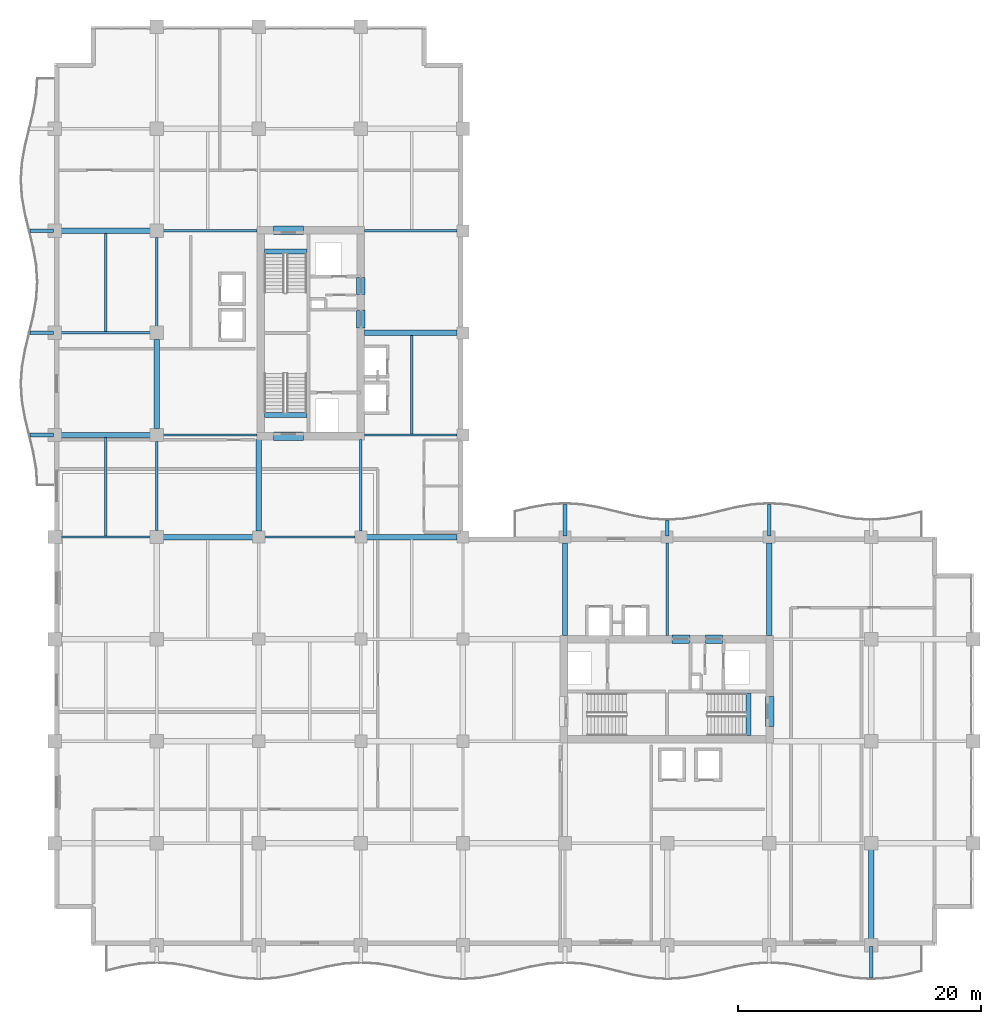
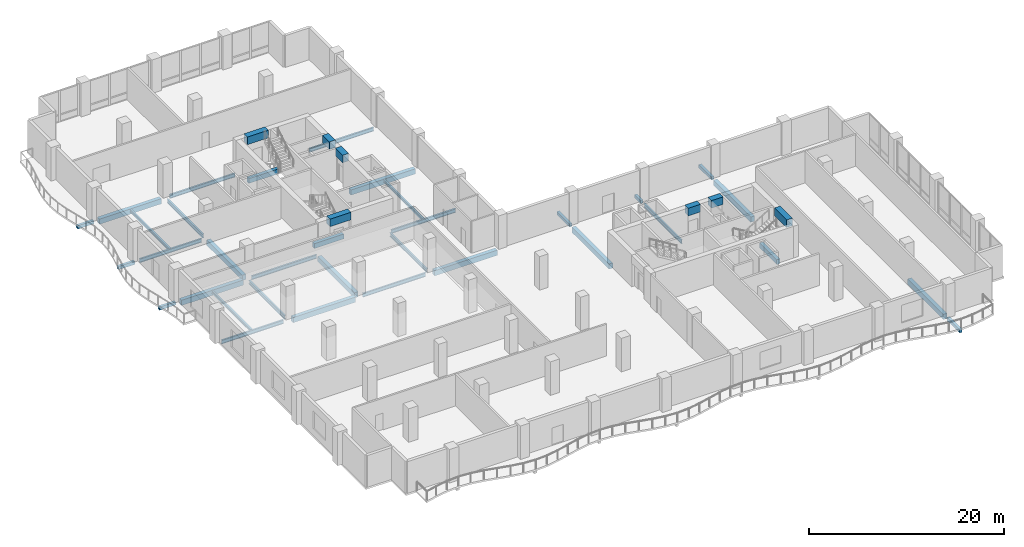
# One storey, part 2 of 22: 41 beams.
"""IFC4 building model written with IfcOpenShell, lengths in metres."""

from ifc_helpers import new_model, si_unit, direction, frame, origin, origin_2d, place, context, subcontext, project, spatial, rectangle, i_section, extrude, material, material_profile, profile_set, type_object, element, save


model = new_model("IFC4")

# Units and contexts
model_context = context("Model", 3, precision=1e-05, world=origin(), true_north=direction((0.0, 1.0)))
body_context = subcontext(model_context, "Body", "Model", "MODEL_VIEW")
ifc_project = project(units=[si_unit("LENGTHUNIT", "METRE"), si_unit("AREAUNIT", "SQUARE_METRE"), si_unit("VOLUMEUNIT", "CUBIC_METRE"), si_unit("PLANEANGLEUNIT", "RADIAN"), si_unit("MASSUNIT", "GRAM", prefix="KILO")], contexts=[model_context])

# Site, building, storey
site_placement = place(None, origin())
site = spatial("IfcSite", under=ifc_project, at=site_placement, CompositionType="ELEMENT")
building_placement = place(site_placement, origin())
building = spatial("IfcBuilding", under=site, at=building_placement, Name="Koriwani Terraces Tower", CompositionType="ELEMENT")
storey_placement = place(building_placement, frame((0.0, 0.0, 219.800048828125)))
storey = spatial("IfcBuildingStorey", under=building, at=storey_placement, Name="L54", CompositionType="ELEMENT", Elevation=219.800048828125)

# Beams
ifc_material_1 = material(Name="Concrete C40/50", Category="concrete")
ifc_material_profile_1 = material_profile(ifc_material_1, rectangle(XDim=0.300048828125, YDim=0.39990234375, at=origin_2d()), Name="Concrete C40/50", Category="LoadBearing")
ifc_profile_set_1 = profile_set([ifc_material_profile_1], Name="Concrete C40/50")
beam_type_1 = type_object("IfcBeamType", Name="BEAM_RC_BALCONY_RIB_300X400", PredefinedType="JOIST", material=ifc_profile_set_1)
beam_1_placement = place(storey_placement, frame((67.199951171875, -2.699951171875, -0.429931640625), z_axis=(0.0, 1.0, 0.0), x_axis=(-1.0, 0.0, 0.0)))
element("IfcBeam", 1, at=beam_1_placement, inside=storey, type_object=beam_type_1, Name="L54 Balcony Bracket Rib S-8", PredefinedType="JOIST", context=body_context, shape_type="SweptSolid", body=[
    extrude(rectangle(XDim=0.300048828125, YDim=0.39990234375, at=origin_2d()), origin(), (0.0, 0.0, 1.0), 2.599853515625),
])
for number, where, z_axis, x_axis, name in (
    (2, (-2.02490234375, 42.0, -0.429931640625), (1.0, 0.0, 0.0), (0.0, 1.0, 0.0), "L54 Balcony Bracket Rib W-1"),
    (3, (-2.02490234375, 50.39990234375, -0.429931640625), (1.0, 0.0, 0.0), (0.0, 1.0, 0.0), "L54 Balcony Bracket Rib W-2"),
    (4, (-2.02490234375, 58.800048828125, -0.429931640625), (1.0, 0.0, 0.0), (0.0, 1.0, 0.0), "L54 Balcony Bracket Rib W-3"),
):
    element("IfcBeam", number, at=place(storey_placement, frame(where, z_axis=z_axis, x_axis=x_axis)), inside=storey, type_object=beam_type_1, Name=name, PredefinedType="JOIST", context=body_context, shape_type="SweptSolid", body=[
        extrude(rectangle(XDim=0.300048828125, YDim=0.39990234375, at=origin_2d()), origin(), (0.0, 0.0, 1.0), 1.9248046875),
    ])
beam_2_placement = place(storey_placement, frame((42.0, 33.699951171875, -0.429931640625), z_axis=(0.0, 1.0, 0.0), x_axis=(-1.0, 0.0, 0.0)))
element("IfcBeam", 5, at=beam_2_placement, inside=storey, type_object=beam_type_1, Name="L54 Balcony Bracket Rib NE-1", PredefinedType="JOIST", context=body_context, shape_type="SweptSolid", body=[
    extrude(rectangle(XDim=0.300048828125, YDim=0.39990234375, at=origin_2d()), origin(), (0.0, 0.0, 1.0), 2.60009765625),
])
beam_3_placement = place(storey_placement, frame((50.39990234375, 33.699951171875, -0.429931640625), z_axis=(0.0, 1.0, 0.0), x_axis=(-1.0, 0.0, 0.0)))
element("IfcBeam", 6, at=beam_3_placement, inside=storey, type_object=beam_type_1, Name="L54 Balcony Bracket Rib NE-2", PredefinedType="JOIST", context=body_context, shape_type="SweptSolid", body=[
    extrude(rectangle(XDim=0.300048828125, YDim=0.39990234375, at=origin_2d()), origin(), (0.0, 0.0, 1.0), 1.25),
])
beam_4_placement = place(storey_placement, frame((58.800048828125, 33.699951171875, -0.429931640625), z_axis=(0.0, 1.0, 0.0), x_axis=(-1.0, 0.0, 0.0)))
element("IfcBeam", 7, at=beam_4_placement, inside=storey, type_object=beam_type_1, Name="L54 Balcony Bracket Rib NE-3", PredefinedType="JOIST", context=body_context, shape_type="SweptSolid", body=[
    extrude(rectangle(XDim=0.300048828125, YDim=0.39990234375, at=origin_2d()), origin(), (0.0, 0.0, 1.0), 2.60009765625),
])
ifc_material_2 = material(Name="Concrete C60/75", Category="concrete")
ifc_material_profile_2 = material_profile(ifc_material_2, rectangle(XDim=0.699951171875, YDim=0.949951171875, at=origin_2d()), Name="Concrete C60/75", Category="LoadBearing")
ifc_profile_set_2 = profile_set([ifc_material_profile_2], Name="Concrete C60/75")
beam_type_2 = type_object("IfcBeamType", Name="BEAM_RC_COUPLING_700X950", PredefinedType="LINTEL", material=ifc_profile_set_2)
beam_5_placement = place(storey_placement, frame((25.199951171875, 50.800048828125, 3.494873046875), z_axis=(0.0, 1.0, 0.0), x_axis=(-1.0, 0.0, 0.0)))
element("IfcBeam", 8, at=beam_5_placement, inside=storey, type_object=beam_type_2, Name="L54 Core Coupling Lintel Beam WE1", PredefinedType="LINTEL", context=body_context, shape_type="SweptSolid", body=[
    extrude(rectangle(XDim=0.699951171875, YDim=0.949951171875, at=origin_2d()), origin(), (0.0, 0.0, 1.0), 1.47998046875),
])
beam_6_placement = place(storey_placement, frame((25.199951171875, 53.550048828125, 3.494873046875), z_axis=(0.0, 1.0, 0.0), x_axis=(-1.0, 0.0, 0.0)))
element("IfcBeam", 9, at=beam_6_placement, inside=storey, type_object=beam_type_2, Name="L54 Core Coupling Lintel Beam WE2", PredefinedType="LINTEL", context=body_context, shape_type="SweptSolid", body=[
    extrude(rectangle(XDim=0.699951171875, YDim=0.949951171875, at=origin_2d()), origin(), (0.0, 0.0, 1.0), 1.39990234375),
])
for number, where, z_axis, x_axis, name in (
    (10, (18.0, 41.89990234375, 3.494873046875), (1.0, 0.0, 0.0), (0.0, 1.0, 0.0), "L54 Core Coupling Lintel Beam WS"),
    (11, (18.0, 58.85009765625, 3.494873046875), (1.0, 0.0, 0.0), (0.0, 1.0, 0.0), "L54 Core Coupling Lintel Beam WN"),
):
    element("IfcBeam", number, at=place(storey_placement, frame(where, z_axis=z_axis, x_axis=x_axis)), inside=storey, type_object=beam_type_2, Name=name, PredefinedType="LINTEL", context=body_context, shape_type="SweptSolid", body=[
        extrude(rectangle(XDim=0.699951171875, YDim=0.949951171875, at=origin_2d()), origin(), (0.0, 0.0, 1.0), 2.5),
    ])
beam_7_placement = place(storey_placement, frame((50.800048828125, 25.199951171875, 3.494873046875), z_axis=(1.0, 0.0, 0.0), x_axis=(0.0, 1.0, 0.0)))
element("IfcBeam", 12, at=beam_7_placement, inside=storey, type_object=beam_type_2, Name="L54 Core Coupling Lintel Beam EN1", PredefinedType="LINTEL", context=body_context, shape_type="SweptSolid", body=[
    extrude(rectangle(XDim=0.699951171875, YDim=0.949951171875, at=origin_2d()), origin(), (0.0, 0.0, 1.0), 1.47998046875),
])
beam_8_placement = place(storey_placement, frame((53.550048828125, 25.199951171875, 3.494873046875), z_axis=(1.0, 0.0, 0.0), x_axis=(0.0, 1.0, 0.0)))
element("IfcBeam", 13, at=beam_8_placement, inside=storey, type_object=beam_type_2, Name="L54 Core Coupling Lintel Beam EN2", PredefinedType="LINTEL", context=body_context, shape_type="SweptSolid", body=[
    extrude(rectangle(XDim=0.699951171875, YDim=0.949951171875, at=origin_2d()), origin(), (0.0, 0.0, 1.0), 1.39990234375),
])
beam_9_placement = place(storey_placement, frame((58.85009765625, 18.0, 3.494873046875), z_axis=(0.0, 1.0, 0.0), x_axis=(-1.0, 0.0, 0.0)))
element("IfcBeam", 14, at=beam_9_placement, inside=storey, type_object=beam_type_2, Name="L54 Core Coupling Lintel Beam EE", PredefinedType="LINTEL", context=body_context, shape_type="SweptSolid", body=[
    extrude(rectangle(XDim=0.699951171875, YDim=0.949951171875, at=origin_2d()), origin(), (0.0, 0.0, 1.0), 2.5),
])
ifc_material_profile_3 = material_profile(ifc_material_1, rectangle(XDim=0.39990234375, YDim=0.60009765625, at=origin_2d()), Name="Concrete C40/50", Category="LoadBearing")
ifc_profile_set_3 = profile_set([ifc_material_profile_3], Name="Concrete C40/50")
beam_type_3 = type_object("IfcBeamType", Name="BEAM_RC_GRID_400X600", PredefinedType="BEAM", material=ifc_profile_set_3)
for number, where, z_axis, x_axis, name in (
    (15, (17.25, 43.655029296875, -0.300048828125), (1.0, 0.0, 0.0), (0.0, 1.0, 0.0), "L54 Stairwell Header Trimmer Beam ST-W1"),
    (16, (17.25, 57.094970703125, -0.300048828125), (1.0, 0.0, 0.0), (0.0, 1.0, 0.0), "L54 Stairwell Header Trimmer Beam ST-W2"),
    (17, (57.094970703125, 17.25, -0.300048828125), (0.0, 1.0, 0.0), (-1.0, 0.0, 0.0), "L54 Stairwell Header Trimmer Beam ST-E2"),
):
    element("IfcBeam", number, at=place(storey_placement, frame(where, z_axis=z_axis, x_axis=x_axis)), inside=storey, type_object=beam_type_3, Name=name, PredefinedType="BEAM", context=body_context, shape_type="SweptSolid", body=[
        extrude(rectangle(XDim=0.39990234375, YDim=0.60009765625, at=origin_2d()), origin(), (0.0, 0.0, 1.0), 3.5),
    ])
ifc_material_3 = material(Name="Concrete C50/60", Category="concrete")
ifc_material_profile_4 = material_profile(ifc_material_3, rectangle(XDim=0.449951171875, YDim=0.64990234375, at=origin_2d()), Name="Concrete C50/60", Category="LoadBearing")
ifc_profile_set_4 = profile_set([ifc_material_profile_4], Name="Concrete C50/60")
beam_type_4 = type_object("IfcBeamType", Name="BEAM_RC_GRID_450X650", PredefinedType="BEAM", material=ifc_profile_set_4)
beam_10_placement = place(storey_placement, frame((8.929931640625, 33.60009765625, -0.554931640625), z_axis=(1.0, 0.0, 0.0), x_axis=(0.0, 1.0, 0.0)))
element("IfcBeam", 18, at=beam_10_placement, inside=storey, type_object=beam_type_4, Name="L54 Grid Beam E (8.4-16.8m)", PredefinedType="BEAM", context=body_context, shape_type="SweptSolid", body=[
    extrude(rectangle(XDim=0.449951171875, YDim=0.64990234375, at=origin_2d()), origin(), (0.0, 0.0, 1.0), 7.39013671875),
])
beam_11_placement = place(storey_placement, frame((25.679931640625, 33.60009765625, -0.554931640625), z_axis=(1.0, 0.0, 0.0), x_axis=(0.0, 1.0, 0.0)))
element("IfcBeam", 19, at=beam_11_placement, inside=storey, type_object=beam_type_4, Name="L54 Grid Beam E (25.2-33.6m)", PredefinedType="BEAM", context=body_context, shape_type="SweptSolid", body=[
    extrude(rectangle(XDim=0.449951171875, YDim=0.64990234375, at=origin_2d()), origin(), (0.0, 0.0, 1.0), 7.440185546875),
])
beam_12_placement = place(storey_placement, frame((0.530029296875, 42.0, -0.554931640625), z_axis=(1.0, 0.0, 0.0), x_axis=(0.0, 1.0, 0.0)))
element("IfcBeam", 20, at=beam_12_placement, inside=storey, type_object=beam_type_4, Name="L54 Grid Beam F (0.0-8.4m)", PredefinedType="BEAM", context=body_context, shape_type="SweptSolid", body=[
    extrude(rectangle(XDim=0.449951171875, YDim=0.64990234375, at=origin_2d()), origin(), (0.0, 0.0, 1.0), 7.340087890625),
])
beam_13_placement = place(storey_placement, frame((25.47998046875, 50.39990234375, -0.554931640625), z_axis=(1.0, 0.0, 0.0), x_axis=(0.0, 1.0, 0.0)))
element("IfcBeam", 21, at=beam_13_placement, inside=storey, type_object=beam_type_4, Name="L54 Grid Beam G (25.2-33.6m)", PredefinedType="BEAM", context=body_context, shape_type="SweptSolid", body=[
    extrude(rectangle(XDim=0.449951171875, YDim=0.64990234375, at=origin_2d()), origin(), (0.0, 0.0, 1.0), 7.64013671875),
])
for number, where, z_axis, x_axis, name in (
    (22, (0.530029296875, 58.800048828125, -0.554931640625), (1.0, 0.0, 0.0), (0.0, 1.0, 0.0), "L54 Grid Beam H (0.0-8.4m)"),
    (23, (8.39990234375, 42.530029296875, -0.554931640625), (0.0, 1.0, 0.0), (-1.0, 0.0, 0.0), "L54 Grid Beam 2 (42.0-50.4m)"),
):
    element("IfcBeam", number, at=place(storey_placement, frame(where, z_axis=z_axis, x_axis=x_axis)), inside=storey, type_object=beam_type_4, Name=name, PredefinedType="BEAM", context=body_context, shape_type="SweptSolid", body=[
        extrude(rectangle(XDim=0.449951171875, YDim=0.64990234375, at=origin_2d()), origin(), (0.0, 0.0, 1.0), 7.340087890625),
    ])
beam_14_placement = place(storey_placement, frame((16.800048828125, 34.080078125, -0.554931640625), z_axis=(0.0, 1.0, 0.0), x_axis=(-1.0, 0.0, 0.0)))
element("IfcBeam", 24, at=beam_14_placement, inside=storey, type_object=beam_type_4, Name="L54 Grid Beam 3 (33.6-42.0m)", PredefinedType="BEAM", context=body_context, shape_type="SweptSolid", body=[
    extrude(rectangle(XDim=0.449951171875, YDim=0.64990234375, at=origin_2d()), origin(), (0.0, 0.0, 1.0), 7.5400390625),
])
for number, where, z_axis, x_axis, name in (
    (25, (42.0, 25.47998046875, -0.554931640625), (0.0, 1.0, 0.0), (-1.0, 0.0, 0.0), "L54 Grid Beam 6 (25.2-33.6m)"),
    (26, (58.800048828125, 25.47998046875, -0.554931640625), (0.0, 1.0, 0.0), (-1.0, 0.0, 0.0), "L54 Grid Beam 8 (25.2-33.6m)"),
):
    element("IfcBeam", number, at=place(storey_placement, frame(where, z_axis=z_axis, x_axis=x_axis)), inside=storey, type_object=beam_type_4, Name=name, PredefinedType="BEAM", context=body_context, shape_type="SweptSolid", body=[
        extrude(rectangle(XDim=0.449951171875, YDim=0.64990234375, at=origin_2d()), origin(), (0.0, 0.0, 1.0), 7.64013671875),
    ])
beam_15_placement = place(storey_placement, frame((67.199951171875, 0.530029296875, -0.554931640625), z_axis=(0.0, 1.0, 0.0), x_axis=(-1.0, 0.0, 0.0)))
element("IfcBeam", 27, at=beam_15_placement, inside=storey, type_object=beam_type_4, Name="L54 Grid Beam 9 (0.0-8.4m)", PredefinedType="BEAM", context=body_context, shape_type="SweptSolid", body=[
    extrude(rectangle(XDim=0.449951171875, YDim=0.64990234375, at=origin_2d()), origin(), (0.0, 0.0, 1.0), 7.340087890625),
])
ifc_material_4 = material(Name="Steel ASTM A572 Grade 50", Category="steel")
ifc_material_profile_5 = material_profile(ifc_material_4, i_section(OverallWidth=0.205078125, OverallDepth=0.35400390625, WebThickness=0.009521484375, FlangeThickness=0.016845703125, at=origin_2d()), Name="Steel ASTM A572 Grade 50", Category="LoadBearing")
ifc_profile_set_5 = profile_set([ifc_material_profile_5], Name="Steel ASTM A572 Grade 50")
beam_type_5 = type_object("IfcBeamType", Name="STEEL_BEAM_W360X79", PredefinedType="JOIST", material=ifc_profile_set_5)
for number, where, z_axis, x_axis, name in (
    (28, (4.199951171875, 33.6865234375, -0.406982421875), (0.0, 1.0, 0.0), (-1.0, 0.0, 0.0), "L54 Secondary Steel Floor Joist X=4.2m"),
    (29, (4.199951171875, 50.486572265625, -0.406982421875), (0.0, 1.0, 0.0), (-1.0, 0.0, 0.0), "L54 Secondary Steel Floor Joist X=4.2m"),
):
    element("IfcBeam", number, at=place(storey_placement, frame(where, z_axis=z_axis, x_axis=x_axis)), inside=storey, type_object=beam_type_5, Name=name, PredefinedType="JOIST", context=body_context, shape_type="SweptSolid", body=[
        extrude(i_section(OverallWidth=0.205078125, OverallDepth=0.35400390625, WebThickness=0.009521484375, FlangeThickness=0.016845703125, at=origin_2d()), origin(), (0.0, 0.0, 1.0), 8.098388671875),
    ])
beam_16_placement = place(storey_placement, frame((29.39990234375, 42.08642578125, -0.406982421875), z_axis=(0.0, 1.0, 0.0), x_axis=(-1.0, 0.0, 0.0)))
element("IfcBeam", 30, at=beam_16_placement, inside=storey, type_object=beam_type_5, Name="L54 Secondary Steel Floor Joist X=29.4m", PredefinedType="JOIST", context=body_context, shape_type="SweptSolid", body=[
    extrude(i_section(OverallWidth=0.205078125, OverallDepth=0.35400390625, WebThickness=0.009521484375, FlangeThickness=0.016845703125, at=origin_2d()), origin(), (0.0, 0.0, 1.0), 8.0986328125),
])
ifc_material_profile_6 = material_profile(ifc_material_4, i_section(OverallWidth=0.193115234375, OverallDepth=0.462890625, WebThickness=0.0107421875, FlangeThickness=0.017333984375, at=origin_2d()), Name="Steel ASTM A572 Grade 50", Category="LoadBearing")
ifc_profile_set_6 = profile_set([ifc_material_profile_6], Name="Steel ASTM A572 Grade 50")
beam_type_6 = type_object("IfcBeamType", Name="STEEL_BEAM_W460X113", PredefinedType="BEAM", material=ifc_profile_set_6)
beam_17_placement = place(storey_placement, frame((0.530029296875, 33.60009765625, -0.461669921875), z_axis=(1.0, 0.0, 0.0), x_axis=(0.0, 1.0, 0.0)))
element("IfcBeam", 31, at=beam_17_placement, inside=storey, type_object=beam_type_6, Name="L54 Grid Beam E (0.0-8.4m)", PredefinedType="BEAM", context=body_context, shape_type="SweptSolid", body=[
    extrude(i_section(OverallWidth=0.193115234375, OverallDepth=0.462890625, WebThickness=0.0107421875, FlangeThickness=0.017333984375, at=origin_2d()), origin(), (0.0, 0.0, 1.0), 7.340087890625),
])
beam_18_placement = place(storey_placement, frame((17.280029296875, 33.60009765625, -0.461669921875), z_axis=(1.0, 0.0, 0.0), x_axis=(0.0, 1.0, 0.0)))
element("IfcBeam", 32, at=beam_18_placement, inside=storey, type_object=beam_type_6, Name="L54 Grid Beam E (16.8-25.2m)", PredefinedType="BEAM", context=body_context, shape_type="SweptSolid", body=[
    extrude(i_section(OverallWidth=0.193115234375, OverallDepth=0.462890625, WebThickness=0.0107421875, FlangeThickness=0.017333984375, at=origin_2d()), origin(), (0.0, 0.0, 1.0), 7.43994140625),
])
beam_19_placement = place(storey_placement, frame((8.929931640625, 42.0, -0.461669921875), z_axis=(1.0, 0.0, 0.0), x_axis=(0.0, 1.0, 0.0)))
element("IfcBeam", 33, at=beam_19_placement, inside=storey, type_object=beam_type_6, Name="L54 Grid Beam F (8.4-16.8m)", PredefinedType="BEAM", context=body_context, shape_type="SweptSolid", body=[
    extrude(i_section(OverallWidth=0.193115234375, OverallDepth=0.462890625, WebThickness=0.0107421875, FlangeThickness=0.017333984375, at=origin_2d()), origin(), (0.0, 0.0, 1.0), 7.739990234375),
])
beam_20_placement = place(storey_placement, frame((25.47998046875, 42.0, -0.461669921875), z_axis=(1.0, 0.0, 0.0), x_axis=(0.0, 1.0, 0.0)))
element("IfcBeam", 34, at=beam_20_placement, inside=storey, type_object=beam_type_6, Name="L54 Grid Beam F (25.2-33.6m)", PredefinedType="BEAM", context=body_context, shape_type="SweptSolid", body=[
    extrude(i_section(OverallWidth=0.193115234375, OverallDepth=0.462890625, WebThickness=0.0107421875, FlangeThickness=0.017333984375, at=origin_2d()), origin(), (0.0, 0.0, 1.0), 7.64013671875),
])
beam_21_placement = place(storey_placement, frame((0.530029296875, 50.39990234375, -0.461669921875), z_axis=(1.0, 0.0, 0.0), x_axis=(0.0, 1.0, 0.0)))
element("IfcBeam", 35, at=beam_21_placement, inside=storey, type_object=beam_type_6, Name="L54 Grid Beam G (0.0-8.4m)", PredefinedType="BEAM", context=body_context, shape_type="SweptSolid", body=[
    extrude(i_section(OverallWidth=0.193115234375, OverallDepth=0.462890625, WebThickness=0.0107421875, FlangeThickness=0.017333984375, at=origin_2d()), origin(), (0.0, 0.0, 1.0), 7.340087890625),
])
beam_22_placement = place(storey_placement, frame((8.929931640625, 58.800048828125, -0.461669921875), z_axis=(1.0, 0.0, 0.0), x_axis=(0.0, 1.0, 0.0)))
element("IfcBeam", 36, at=beam_22_placement, inside=storey, type_object=beam_type_6, Name="L54 Grid Beam H (8.4-16.8m)", PredefinedType="BEAM", context=body_context, shape_type="SweptSolid", body=[
    extrude(i_section(OverallWidth=0.193115234375, OverallDepth=0.462890625, WebThickness=0.0107421875, FlangeThickness=0.017333984375, at=origin_2d()), origin(), (0.0, 0.0, 1.0), 7.739990234375),
])
beam_23_placement = place(storey_placement, frame((25.47998046875, 58.800048828125, -0.461669921875), z_axis=(1.0, 0.0, 0.0), x_axis=(0.0, 1.0, 0.0)))
element("IfcBeam", 37, at=beam_23_placement, inside=storey, type_object=beam_type_6, Name="L54 Grid Beam H (25.2-33.6m)", PredefinedType="BEAM", context=body_context, shape_type="SweptSolid", body=[
    extrude(i_section(OverallWidth=0.193115234375, OverallDepth=0.462890625, WebThickness=0.0107421875, FlangeThickness=0.017333984375, at=origin_2d()), origin(), (0.0, 0.0, 1.0), 7.64013671875),
])
for number, where, z_axis, x_axis, name in (
    (38, (8.39990234375, 34.1298828125, -0.461669921875), (0.0, 1.0, 0.0), (-1.0, 0.0, 0.0), "L54 Grid Beam 2 (33.6-42.0m)"),
    (39, (8.39990234375, 50.929931640625, -0.461669921875), (0.0, 1.0, 0.0), (-1.0, 0.0, 0.0), "L54 Grid Beam 2 (50.4-58.8m)"),
):
    element("IfcBeam", number, at=place(storey_placement, frame(where, z_axis=z_axis, x_axis=x_axis)), inside=storey, type_object=beam_type_6, Name=name, PredefinedType="BEAM", context=body_context, shape_type="SweptSolid", body=[
        extrude(i_section(OverallWidth=0.193115234375, OverallDepth=0.462890625, WebThickness=0.0107421875, FlangeThickness=0.017333984375, at=origin_2d()), origin(), (0.0, 0.0, 1.0), 7.340087890625),
    ])
beam_24_placement = place(storey_placement, frame((25.199951171875, 34.080078125, -0.461669921875), z_axis=(0.0, 1.0, 0.0), x_axis=(-1.0, 0.0, 0.0)))
element("IfcBeam", 40, at=beam_24_placement, inside=storey, type_object=beam_type_6, Name="L54 Grid Beam 4 (33.6-42.0m)", PredefinedType="BEAM", context=body_context, shape_type="SweptSolid", body=[
    extrude(i_section(OverallWidth=0.193115234375, OverallDepth=0.462890625, WebThickness=0.0107421875, FlangeThickness=0.017333984375, at=origin_2d()), origin(), (0.0, 0.0, 1.0), 7.5400390625),
])
beam_25_placement = place(storey_placement, frame((50.39990234375, 25.47998046875, -0.461669921875), z_axis=(0.0, 1.0, 0.0), x_axis=(-1.0, 0.0, 0.0)))
element("IfcBeam", 41, at=beam_25_placement, inside=storey, type_object=beam_type_6, Name="L54 Grid Beam 7 (25.2-33.6m)", PredefinedType="BEAM", context=body_context, shape_type="SweptSolid", body=[
    extrude(i_section(OverallWidth=0.193115234375, OverallDepth=0.462890625, WebThickness=0.0107421875, FlangeThickness=0.017333984375, at=origin_2d()), origin(), (0.0, 0.0, 1.0), 7.64013671875),
])

save(model, "model.ifc")
